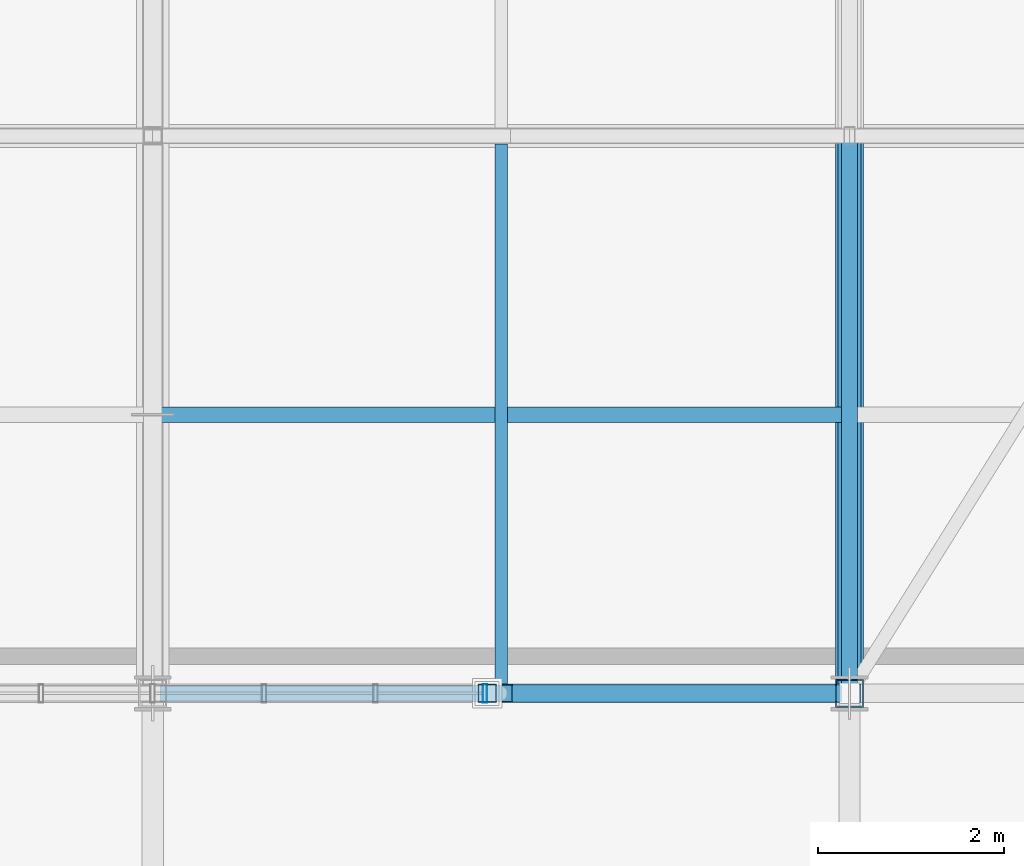
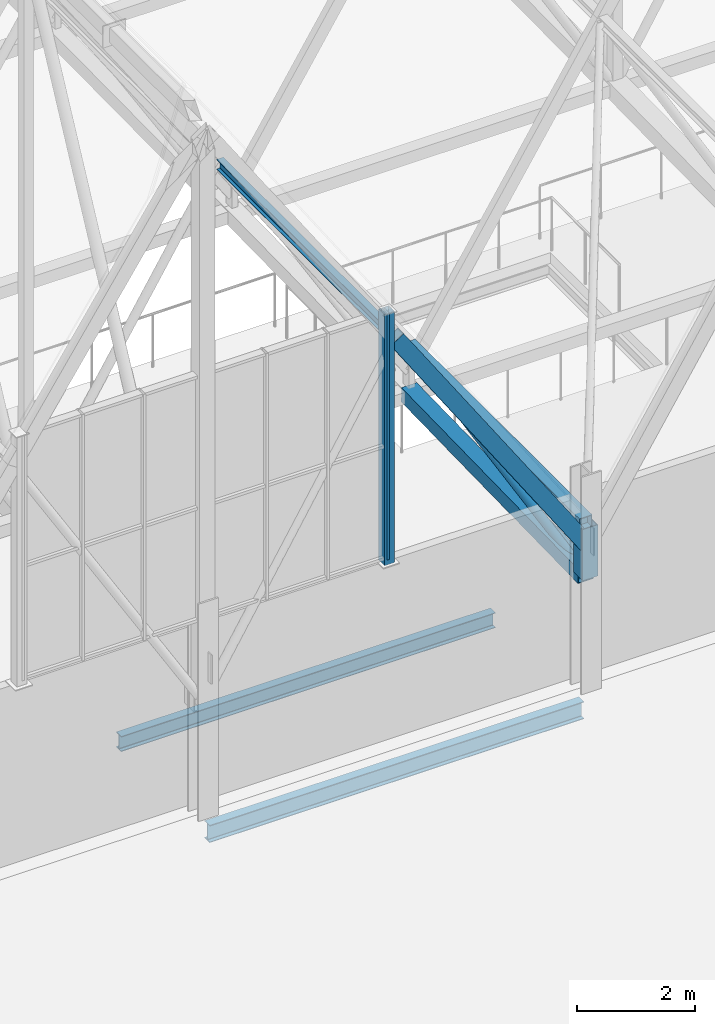
# One storey, part 84 of 324: 7 members, 3 beams, 1 element without a shape of its own.
"""IFC4 building model written with IfcOpenShell, lengths in metres."""

from ifc_helpers import new_model, si_unit, direction, frame, origin, origin_2d, place, context, subcontext, project, spatial, hollow_rectangle, hollow_circle, i_section, extrude, material, layer, layer_set, material_profile, profile_set, type_object, element, aggregate, save


model = new_model("IFC4")

# Units and contexts
model_context = context("Model", 3, precision=1e-05, world=origin(), true_north=direction((0.0, 1.0)))
body_context = subcontext(model_context, "Body", "Model", "MODEL_VIEW")
ifc_project = project(units=[si_unit("LENGTHUNIT", "METRE"), si_unit("AREAUNIT", "SQUARE_METRE"), si_unit("VOLUMEUNIT", "CUBIC_METRE"), si_unit("PLANEANGLEUNIT", "RADIAN"), si_unit("MASSUNIT", "GRAM", prefix="KILO")], contexts=[model_context])

# Site, building, storey
site_placement = place(None, origin())
site = spatial("IfcSite", under=ifc_project, at=site_placement, CompositionType="ELEMENT")
building_placement = place(site_placement, origin())
building = spatial("IfcBuilding", under=site, at=building_placement, Name="Solvenia Promenade Tram Depot", CompositionType="ELEMENT")
storey_placement = place(building_placement, frame((0.0, 0.0, 4.5)))
storey = spatial("IfcBuildingStorey", under=building, at=storey_placement, Name="L01", CompositionType="ELEMENT", Elevation=4.5)

# Curtain wall, member
ifc_material_1 = material(Name="Anodized aluminium AW-6063 T6", Category="aluminium")
ifc_layer = layer(ifc_material_1, 0.14990234375, Name="Anodized aluminium AW-6063 T6", Category="aluminium")
ifc_layer_set = layer_set([ifc_layer], Name="Anodized aluminium AW-6063 T6")
curtain_wall_type = type_object("IfcCurtainWallType", Name="CW-Gable-1200", PredefinedType="NOTDEFINED", material=ifc_layer_set)
curtain_wall_placement = place(storey_placement, origin())
curtain_wall = element("IfcCurtainWall", 1, at=curtain_wall_placement, inside=storey, type_object=curtain_wall_type, Name="South Zigzag Gable 01 Peak Glazing", PredefinedType="NOTDEFINED")
ifc_material_profile_1 = material_profile(ifc_material_1, hollow_rectangle(XDim=0.199951171875, YDim=0.048095703125, WallThickness=0.00390625, at=origin_2d()), Name="ALU-M3", Category="aluminium")
ifc_profile_set_1 = profile_set([ifc_material_profile_1], Name="Anodized aluminium AW-6063 T6")
member_type_1 = type_object("IfcMemberType", Name="CWM-Mullion-3", PredefinedType="MULLION", material=ifc_profile_set_1)
member_1_placement = place(storey_placement, frame((11.075927734375, 66.0, 4.050048828125), z_axis=(0.0, 0.0, 1.0), x_axis=(0.0, 1.0, 0.0)))
member_1 = element("IfcMember", 2, at=member_1_placement, type_object=member_type_1, Name="CW-3 mullion 7", PredefinedType="MULLION", context=body_context, shape_type="SweptSolid", body=[
    extrude(hollow_rectangle(XDim=0.199951171875, YDim=0.048095703125, WallThickness=0.00390625, at=origin_2d()), origin(), (0.0, 0.0, 1.0), 5.099853515625),
])
aggregate(curtain_wall, [member_1])

# Members
ifc_material_2 = material(Name="Structural steel ASTM A500 Gr. C", Category="steel")
ifc_material_profile_2 = material_profile(ifc_material_2, hollow_rectangle(XDim=0.25, YDim=0.25, WallThickness=0.010009765625, at=origin_2d()), Name="HSS250x250x10", Category="steel")
ifc_profile_set_2 = profile_set([ifc_material_profile_2], Name="Structural steel ASTM A500 Gr. C")
member_type_2 = type_object("IfcMemberType", Name="Chord-HSS250x250x10", PredefinedType="CHORD", material=ifc_profile_set_2)
member_2_placement = place(storey_placement, frame((15.0, 66.0, 3.3798828125), z_axis=(0.0, 1.0, 0.0), x_axis=(-1.0, 0.0, 0.0)))
element("IfcMember", 3, at=member_2_placement, inside=storey, type_object=member_type_2, Name="Arched Truss T03 Upper Chord S01", PredefinedType="CHORD", context=body_context, shape_type="SweptSolid", body=[
    extrude(hollow_rectangle(XDim=0.25, YDim=0.25, WallThickness=0.010009765625, at=origin_2d()), origin(), (0.0, 0.0, 1.0), 6.0),
])
ifc_material_profile_3 = material_profile(ifc_material_2, hollow_rectangle(XDim=0.199951171875, YDim=0.300048828125, WallThickness=0.012451171875, at=origin_2d()), Name="HSS300x200x12.5", Category="steel")
ifc_profile_set_3 = profile_set([ifc_material_profile_3], Name="Structural steel ASTM A500 Gr. C")
member_type_3 = type_object("IfcMemberType", Name="Chord-HSS300x200x12", PredefinedType="CHORD", material=ifc_profile_set_3)
member_3_placement = place(storey_placement, frame((11.25, 66.0, 8.54443359375), z_axis=(0.557276274528, 0.0, -0.830327136644), x_axis=(0.0, 1.0, 0.0)))
element("IfcMember", 4, at=member_3_placement, inside=storey, type_object=member_type_3, Name="Zigzag Gable 01 East Lower Rafter", PredefinedType="CHORD", context=body_context, shape_type="SweptSolid", body=[
    extrude(hollow_rectangle(XDim=0.199951171875, YDim=0.300048828125, WallThickness=0.012451171875, at=origin_2d()), origin(), (0.0, 0.0, 1.0), 6.729248046875),
])
ifc_material_profile_4 = material_profile(ifc_material_2, hollow_rectangle(XDim=0.300048828125, YDim=0.300048828125, WallThickness=0.012451171875, at=origin_2d()), Name="HSS300x300x12.5", Category="steel")
ifc_profile_set_4 = profile_set([ifc_material_profile_4], Name="Structural steel ASTM A500 Gr. C")
member_type_4 = type_object("IfcMemberType", Name="Chord-HSS300x300x12", PredefinedType="CHORD", material=ifc_profile_set_4)
member_4_placement = place(storey_placement, frame((15.0, 66.0, 2.320068359375), z_axis=(0.0, 0.0, 1.0), x_axis=(1.0, 0.0, 0.0)))
element("IfcMember", 5, at=member_4_placement, inside=storey, type_object=member_type_4, Name="Arched Truss T03 S End Post", PredefinedType="CHORD", context=body_context, shape_type="SweptSolid", body=[
    extrude(hollow_rectangle(XDim=0.300048828125, YDim=0.300048828125, WallThickness=0.012451171875, at=origin_2d()), origin(), (0.0, 0.0, 1.0), 1.059814453125),
])
member_5_placement = place(storey_placement, frame((15.0, 66.0, 2.320068359375), z_axis=(0.0, 0.999779654873, 0.020991467363), x_axis=(-1.0, 0.0, 0.0)))
element("IfcMember", 6, at=member_5_placement, inside=storey, type_object=member_type_4, Name="Arched Truss T03 Bottom Chord S01", PredefinedType="CHORD", context=body_context, shape_type="SweptSolid", body=[
    extrude(hollow_rectangle(XDim=0.300048828125, YDim=0.300048828125, WallThickness=0.012451171875, at=origin_2d()), origin(), (0.0, 0.0, 1.0), 6.001220703125),
])

# Beam
ifc_material_3 = material(Name="Structural steel ASTM A992 Gr. 50", Category="steel")
ifc_material_profile_5 = material_profile(ifc_material_3, i_section(OverallWidth=0.166015625, OverallDepth=0.31298828125, WebThickness=0.006591796875, FlangeThickness=0.01123046875, FilletRadius=0.010009765625, at=origin_2d()), Name="W310x45", Category="steel")
ifc_profile_set_5 = profile_set([ifc_material_profile_5], Name="Structural steel ASTM A992 Gr. 50")
beam_type_1 = type_object("IfcBeamType", Name="Joist-W310x45", PredefinedType="JOIST", material=ifc_profile_set_5)
beam_1_placement = place(storey_placement, frame((7.5849609375, 69.0, -0.37646484375), z_axis=(1.0, 0.0, 0.0), x_axis=(0.0, 1.0, 0.0)))
element("IfcBeam", 7, at=beam_1_placement, inside=storey, type_object=beam_type_1, Name="Secondary Floor Joist BM-L01-0065", PredefinedType="JOIST", context=body_context, shape_type="SweptSolid", body=[
    extrude(i_section(OverallWidth=0.166015625, OverallDepth=0.31298828125, WebThickness=0.006591796875, FlangeThickness=0.01123046875, FilletRadius=0.010009765625, at=origin_2d()), origin(), (0.0, 0.0, 1.0), 7.330078125),
])

# Member
ifc_material_profile_6 = material_profile(ifc_material_2, hollow_rectangle(XDim=0.199951171875, YDim=0.199951171875, WallThickness=0.010009765625, at=origin_2d()), Name="HSS200x200x10", Category="steel")
ifc_profile_set_6 = profile_set([ifc_material_profile_6], Name="Structural steel ASTM A500 Gr. C")
member_type_5 = type_object("IfcMemberType", Name="Post-HSS200x200x10", PredefinedType="POST", material=ifc_profile_set_6)
member_6_placement = place(storey_placement, frame((11.10009765625, 66.0, 3.949951171875), z_axis=(0.0, 0.0, 1.0), x_axis=(1.0, 0.0, 0.0)))
element("IfcMember", 8, at=member_6_placement, inside=storey, type_object=member_type_5, Name="Gable Curtain-Wall Steel Jamb Post 004", PredefinedType="POST", context=body_context, shape_type="SweptSolid", body=[
    extrude(hollow_rectangle(XDim=0.199951171875, YDim=0.199951171875, WallThickness=0.010009765625, at=origin_2d()), origin(), (0.0, 0.0, 1.0), 5.199951171875),
])

# Beams
ifc_material_profile_7 = material_profile(ifc_material_3, i_section(OverallWidth=0.133056640625, OverallDepth=0.20703125, WebThickness=0.005859375, FlangeThickness=0.00830078125, FilletRadius=0.009033203125, at=origin_2d()), Name="W200x27", Category="steel")
ifc_profile_set_7 = profile_set([ifc_material_profile_7], Name="Structural steel ASTM A992 Gr. 50")
beam_type_2 = type_object("IfcBeamType", Name="Purlin-W200x27", PredefinedType="USERDEFINED", material=ifc_profile_set_7)
beam_2_placement = place(storey_placement, frame((11.25, 66.0849609375, 8.551025390625), z_axis=(0.0, 1.0, 0.0), x_axis=(-1.0, 0.0, 0.0)))
element("IfcBeam", 9, at=beam_2_placement, inside=storey, type_object=beam_type_2, Name="Gable Roof Purlin E-0002", ObjectType="PURLIN", PredefinedType="USERDEFINED", context=body_context, shape_type="SweptSolid", body=[
    extrude(i_section(OverallWidth=0.133056640625, OverallDepth=0.20703125, WebThickness=0.005859375, FlangeThickness=0.00830078125, FilletRadius=0.009033203125, at=origin_2d()), origin(), (0.0, 0.0, 1.0), 5.830078125),
])
ifc_material_profile_8 = material_profile(ifc_material_3, i_section(OverallWidth=0.172119140625, OverallDepth=0.35791015625, WebThickness=0.0078125, FlangeThickness=0.01318359375, FilletRadius=0.010986328125, at=origin_2d()), Name="W360x57", Category="steel")
ifc_profile_set_8 = profile_set([ifc_material_profile_8], Name="Structural steel ASTM A992 Gr. 50")
beam_type_3 = type_object("IfcBeamType", Name="Spandrel-W360x57", PredefinedType="SPANDREL", material=ifc_profile_set_8)
beam_3_placement = place(storey_placement, frame((7.5849609375, 66.0, -0.4189453125), z_axis=(1.0, 0.0, 0.0), x_axis=(0.0, 1.0, 0.0)))
element("IfcBeam", 10, at=beam_3_placement, inside=storey, type_object=beam_type_3, Name="Perimeter Spandrel BM-L01-0002", PredefinedType="SPANDREL", context=body_context, shape_type="SweptSolid", body=[
    extrude(i_section(OverallWidth=0.172119140625, OverallDepth=0.35791015625, WebThickness=0.0078125, FlangeThickness=0.01318359375, FilletRadius=0.010986328125, at=origin_2d()), origin(), (0.0, 0.0, 1.0), 7.330078125),
])

# Member
ifc_material_profile_9 = material_profile(ifc_material_2, hollow_circle(Radius=0.084228515625, WallThickness=0.008056640625, at=origin_2d()), Name="CHS168.3x8", Category="steel")
ifc_profile_set_9 = profile_set([ifc_material_profile_9], Name="Structural steel ASTM A500 Gr. C")
member_type_6 = type_object("IfcMemberType", Name="WebDiag-CHS168x8", PredefinedType="BRACE", material=ifc_profile_set_9)
member_7_placement = place(storey_placement, frame((15.0, 66.0, 2.320068359375), z_axis=(0.0, 0.984755712458, 0.173943056143), x_axis=(-1.0, 0.0, 0.0)))
element("IfcMember", 11, at=member_7_placement, inside=storey, type_object=member_type_6, Name="Arched Truss T03 Web Diagonal S01", PredefinedType="BRACE", context=body_context, shape_type="SweptSolid", body=[
    extrude(hollow_circle(Radius=0.084228515625, WallThickness=0.008056640625, at=origin_2d()), origin(), (0.0, 0.0, 1.0), 6.0927734375),
])

save(model, "model.ifc")
